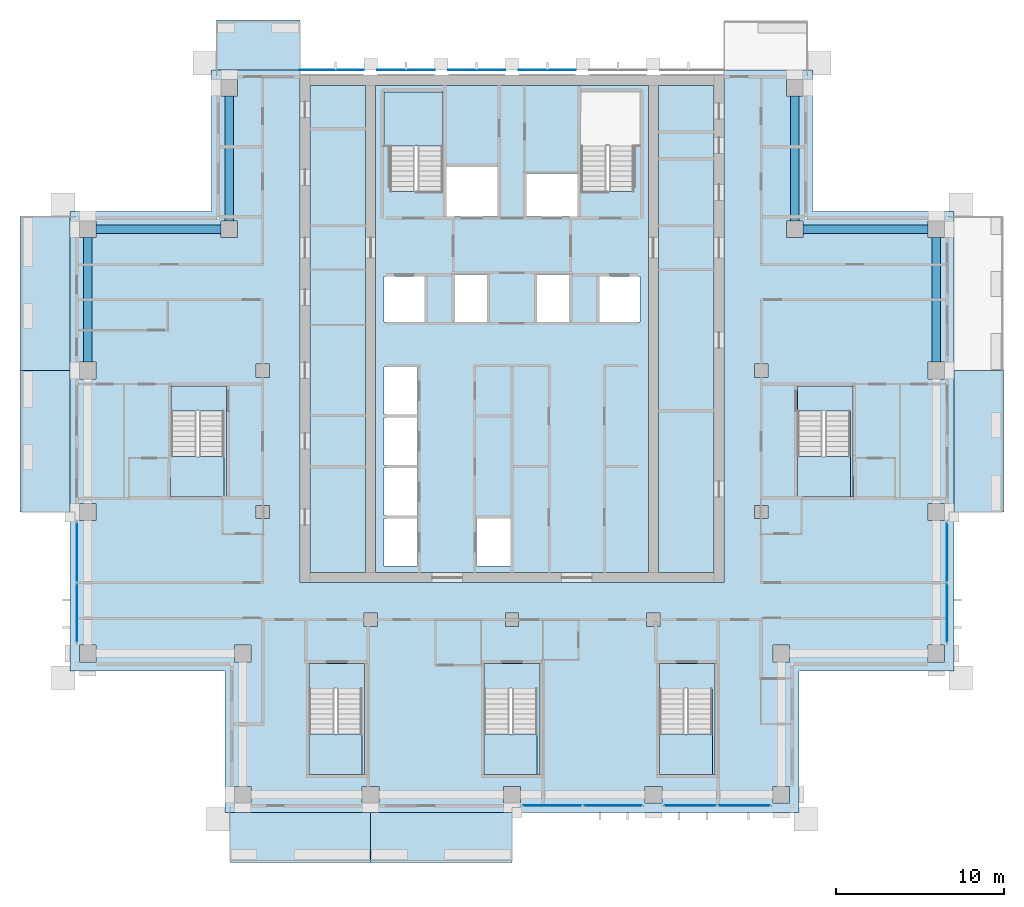
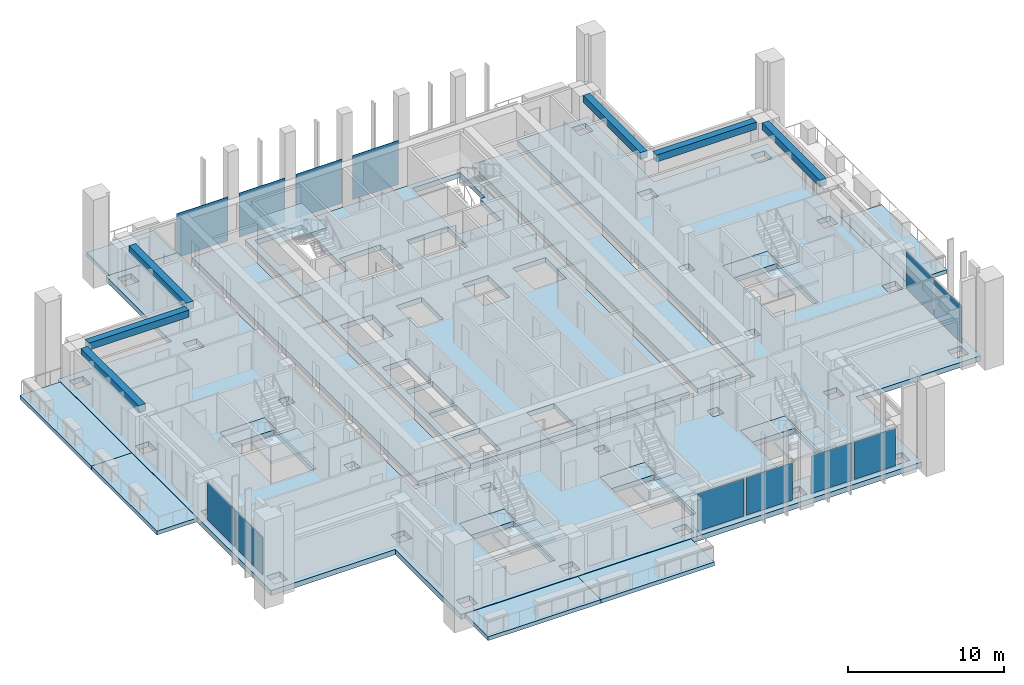
# One storey, part 5 of 17: 21 slabs, 12 plates, 6 beams, 10 elements without a shape of their own.
"""IFC4 building model written with IfcOpenShell, lengths in metres."""

from ifc_helpers import new_model, si_unit, direction, frame, origin, origin_2d, place, context, subcontext, project, spatial, polyline, rectangle, outline, extrude, material, layer, layer_set, material_profile, profile_set, type_object, element, aggregate, save


model = new_model("IFC4")

# Units and contexts
model_context = context("Model", 3, precision=1e-05, world=origin(), true_north=direction((0.0, 1.0)))
body_context = subcontext(model_context, "Body", "Model", "MODEL_VIEW")
ifc_project = project(units=[si_unit("LENGTHUNIT", "METRE"), si_unit("AREAUNIT", "SQUARE_METRE"), si_unit("VOLUMEUNIT", "CUBIC_METRE"), si_unit("PLANEANGLEUNIT", "RADIAN"), si_unit("MASSUNIT", "GRAM", prefix="KILO")], contexts=[model_context])

# Site, building, storey
site_placement = place(None, origin())
site = spatial("IfcSite", under=ifc_project, at=site_placement, CompositionType="ELEMENT")
building_placement = place(site_placement, origin())
building = spatial("IfcBuilding", under=site, at=building_placement, Name="Vermilion Ogive Tower", CompositionType="ELEMENT")
storey_placement = place(building_placement, frame((0.0, 0.0, 192.800048828125)))
storey = spatial("IfcBuildingStorey", under=building, at=storey_placement, Name="L50", CompositionType="ELEMENT", Elevation=192.800048828125)

# Beams
ifc_material_1 = material(Name="Concrete B45", Category="concrete")
ifc_material_profile = material_profile(ifc_material_1, rectangle(XDim=0.5, YDim=0.550048828125, at=origin_2d()), Name="500 x 550")
ifc_profile_set = profile_set([ifc_material_profile], Name="Concrete B45")
beam_type = type_object("IfcBeamType", Name="Edge beam 500 x 550 B45", PredefinedType="BEAM", material=ifc_profile_set)
beam_1_placement = place(storey_placement, frame((25.199951171875, 4.699951171875, 2.77490234375), z_axis=(0.0, 1.0, 0.0), x_axis=(-1.0, 0.0, 0.0)))
element("IfcBeam", 1, at=beam_1_placement, inside=storey, type_object=beam_type, Name="L50-EB-9", PredefinedType="BEAM", context=body_context, shape_type="SweptSolid", body=[
    extrude(rectangle(XDim=0.5, YDim=0.550048828125, at=origin_2d()), origin(), (0.0, 0.0, 1.0), 7.400146484375),
])
for number, where, z_axis, x_axis, name in (
    (2, (24.699951171875, 12.60009765625, 2.77490234375), (-1.0, 0.0, 0.0), (0.0, -1.0, 0.0), "L50-EB-10"),
    (3, (16.800048828125, 13.10009765625, 2.77490234375), (0.0, 1.0, 0.0), (-1.0, 0.0, 0.0), "L50-EB-11"),
    (4, (-16.800048828125, 20.5, 2.77490234375), (0.0, -1.0, 0.0), (1.0, 0.0, 0.0), "L50-EB-12"),
    (5, (-17.300048828125, 12.60009765625, 2.77490234375), (-1.0, 0.0, 0.0), (0.0, -1.0, 0.0), "L50-EB-13"),
):
    element("IfcBeam", number, at=place(storey_placement, frame(where, z_axis=z_axis, x_axis=x_axis)), inside=storey, type_object=beam_type, Name=name, PredefinedType="BEAM", context=body_context, shape_type="SweptSolid", body=[
        extrude(rectangle(XDim=0.5, YDim=0.550048828125, at=origin_2d()), origin(), (0.0, 0.0, 1.0), 7.39990234375),
    ])
beam_2_placement = place(storey_placement, frame((-25.199951171875, 12.10009765625, 2.77490234375), z_axis=(0.0, -1.0, 0.0), x_axis=(1.0, 0.0, 0.0)))
element("IfcBeam", 6, at=beam_2_placement, inside=storey, type_object=beam_type, Name="L50-EB-14", PredefinedType="BEAM", context=body_context, shape_type="SweptSolid", body=[
    extrude(rectangle(XDim=0.5, YDim=0.550048828125, at=origin_2d()), origin(), (0.0, 0.0, 1.0), 7.400146484375),
])

# Slabs
ifc_material_2 = material(Name="Concrete B40", Category="concrete")
ifc_layer_1 = layer(ifc_material_2, 0.300048828125)
ifc_layer_set_1 = layer_set([ifc_layer_1], Name="Balcony slab")
slab_type_1 = type_object("IfcSlabType", Name="Balcony slab", PredefinedType="FLOOR", material=ifc_layer_set_1)
slab_1_placement = place(storey_placement, frame((0.0, 0.0, -0.340087890625)))
element("IfcSlab", 7, at=slab_1_placement, inside=storey, type_object=slab_type_1, Name="Balcony slab S01", PredefinedType="FLOOR", context=body_context, shape_type="SweptSolid", body=[
    extrude(outline(polyline([(-16.75, -25.030029296875), (-8.39990234375, -25.030029296875), (-8.39990234375, -22.050048828125), (-16.75, -22.050048828125), (-16.75, -25.030029296875)])), origin(), (0.0, 0.0, 1.0), 0.300048828125),
])
slab_2_placement = place(storey_placement, frame((0.0, 0.0, -0.340087890625)))
element("IfcSlab", 8, at=slab_2_placement, inside=storey, type_object=slab_type_1, Name="Balcony slab S02", PredefinedType="FLOOR", context=body_context, shape_type="SweptSolid", body=[
    extrude(outline(polyline([(-8.39990234375, -25.030029296875), (0.0, -25.030029296875), (0.0, -22.050048828125), (-8.39990234375, -22.050048828125), (-8.39990234375, -25.030029296875)])), origin(), (0.0, 0.0, 1.0), 0.300048828125),
])
slab_3_placement = place(storey_placement, frame((0.0, 0.0, -0.340087890625)))
element("IfcSlab", 9, at=slab_3_placement, inside=storey, type_object=slab_type_1, Name="Balcony slab E02", PredefinedType="FLOOR", context=body_context, shape_type="SweptSolid", body=[
    extrude(outline(polyline([(29.22998046875, -4.199951171875), (29.22998046875, 4.199951171875), (26.25, 4.199951171875), (26.25, -4.199951171875), (29.22998046875, -4.199951171875)])), origin(), (0.0, 0.0, 1.0), 0.300048828125),
])
slab_4_placement = place(storey_placement, frame((0.0, 0.0, -0.340087890625)))
element("IfcSlab", 10, at=slab_4_placement, inside=storey, type_object=slab_type_1, Name="Balcony slab N201", PredefinedType="FLOOR", context=body_context, shape_type="SweptSolid", body=[
    extrude(outline(polyline([(-12.60009765625, 25.030029296875), (-17.550048828125, 25.030029296875), (-17.550048828125, 22.050048828125), (-12.60009765625, 22.050048828125), (-12.60009765625, 25.030029296875)])), origin(), (0.0, 0.0, 1.0), 0.300048828125),
])
slab_5_placement = place(storey_placement, frame((0.0, 0.0, -0.340087890625)))
element("IfcSlab", 11, at=slab_5_placement, inside=storey, type_object=slab_type_1, Name="Balcony slab W01", PredefinedType="FLOOR", context=body_context, shape_type="SweptSolid", body=[
    extrude(outline(polyline([(-29.22998046875, 13.35009765625), (-29.22998046875, 4.199951171875), (-26.25, 4.199951171875), (-26.25, 13.35009765625), (-29.22998046875, 13.35009765625)])), origin(), (0.0, 0.0, 1.0), 0.300048828125),
])
slab_6_placement = place(storey_placement, frame((0.0, 0.0, -0.340087890625)))
element("IfcSlab", 12, at=slab_6_placement, inside=storey, type_object=slab_type_1, Name="Balcony slab W02", PredefinedType="FLOOR", context=body_context, shape_type="SweptSolid", body=[
    extrude(outline(polyline([(-29.22998046875, 4.199951171875), (-29.22998046875, -4.199951171875), (-26.25, -4.199951171875), (-26.25, 4.199951171875), (-29.22998046875, 4.199951171875)])), origin(), (0.0, 0.0, 1.0), 0.300048828125),
])

# Curtain wall, plates
ifc_material_3 = material(Name="Low-iron laminated glazing in aluminium frame", Category="aluminium")
curtain_wall_type = type_object("IfcCurtainWallType", Name="Curtain wall CW7", PredefinedType="NOTDEFINED", material=ifc_material_3)
curtain_wall_1_placement = place(storey_placement, origin())
curtain_wall_1 = element("IfcCurtainWall", 13, at=curtain_wall_1_placement, inside=storey, type_object=curtain_wall_type, Name="Glazed skin S3", PredefinedType="NOTDEFINED")
ifc_material_4 = material(Name="Low-iron laminated glazing in aluminium frame", Category="aluminium")
ifc_layer_2 = layer(ifc_material_4, 0.031982421875)
ifc_layer_set_2 = layer_set([ifc_layer_2], Name="CW7 glazing panel 32")
plate_type_1 = type_object("IfcPlateType", Name="CW7 glazing panel 32", PredefinedType="CURTAIN_PANEL", material=ifc_layer_set_2)
plate_1_placement = place(storey_placement, frame((2.39501953125, -21.64990234375, 0.06005859375), z_axis=(0.0, 0.0, 1.0), x_axis=(1.0, 0.0, 0.0)))
plate_1 = element("IfcPlate", 14, at=plate_1_placement, type_object=plate_type_1, Name="CW7-S3 panel 1.1", PredefinedType="CURTAIN_PANEL", context=body_context, shape_type="SweptSolid", body=[
    extrude(rectangle(XDim=3.429931640625, YDim=0.031982421875, at=origin_2d()), origin(), (0.0, 0.0, 1.0), 2.929931640625),
])
plate_2_placement = place(storey_placement, frame((6.0048828125, -21.64990234375, 0.06005859375), z_axis=(0.0, 0.0, 1.0), x_axis=(1.0, 0.0, 0.0)))
plate_2 = element("IfcPlate", 15, at=plate_2_placement, type_object=plate_type_1, Name="CW7-S3 panel 2.1", PredefinedType="CURTAIN_PANEL", context=body_context, shape_type="SweptSolid", body=[
    extrude(rectangle(XDim=3.429931640625, YDim=0.031982421875, at=origin_2d()), origin(), (0.0, 0.0, 1.0), 2.929931640625),
])
aggregate(curtain_wall_1, [plate_1, plate_2])

curtain_wall_2_placement = place(storey_placement, origin())
curtain_wall_2 = element("IfcCurtainWall", 16, at=curtain_wall_2_placement, inside=storey, type_object=curtain_wall_type, Name="Glazed skin S4", PredefinedType="NOTDEFINED")
plate_3_placement = place(storey_placement, frame((10.594970703125, -21.64990234375, 0.06005859375), z_axis=(0.0, 0.0, 1.0), x_axis=(1.0, 0.0, 0.0)))
plate_3 = element("IfcPlate", 17, at=plate_3_placement, type_object=plate_type_1, Name="CW7-S4 panel 1.1", PredefinedType="CURTAIN_PANEL", context=body_context, shape_type="SweptSolid", body=[
    extrude(rectangle(XDim=3.030029296875, YDim=0.031982421875, at=origin_2d()), origin(), (0.0, 0.0, 1.0), 2.929931640625),
])
plate_4_placement = place(storey_placement, frame((13.804931640625, -21.64990234375, 0.06005859375), z_axis=(0.0, 0.0, 1.0), x_axis=(1.0, 0.0, 0.0)))
plate_4 = element("IfcPlate", 18, at=plate_4_placement, type_object=plate_type_1, Name="CW7-S4 panel 2.1", PredefinedType="CURTAIN_PANEL", context=body_context, shape_type="SweptSolid", body=[
    extrude(rectangle(XDim=3.030029296875, YDim=0.031982421875, at=origin_2d()), origin(), (0.0, 0.0, 1.0), 2.929931640625),
])
aggregate(curtain_wall_2, [plate_3, plate_4])

curtain_wall_3_placement = place(storey_placement, origin())
curtain_wall_3 = element("IfcCurtainWall", 19, at=curtain_wall_3_placement, inside=storey, type_object=curtain_wall_type, Name="Glazed skin E1", PredefinedType="NOTDEFINED")
plate_5_placement = place(storey_placement, frame((25.85009765625, -10.205078125, 0.06005859375), z_axis=(0.0, 0.0, 1.0), x_axis=(0.0, 1.0, 0.0)))
plate_5 = element("IfcPlate", 20, at=plate_5_placement, type_object=plate_type_1, Name="CW7-E1 panel 1.1", PredefinedType="CURTAIN_PANEL", context=body_context, shape_type="SweptSolid", body=[
    extrude(rectangle(XDim=3.429931640625, YDim=0.031982421875, at=origin_2d()), origin(), (0.0, 0.0, 1.0), 2.929931640625),
])
plate_6_placement = place(storey_placement, frame((25.85009765625, -6.594970703125, 0.06005859375), z_axis=(0.0, 0.0, 1.0), x_axis=(0.0, 1.0, 0.0)))
plate_6 = element("IfcPlate", 21, at=plate_6_placement, type_object=plate_type_1, Name="CW7-E1 panel 2.1", PredefinedType="CURTAIN_PANEL", context=body_context, shape_type="SweptSolid", body=[
    extrude(rectangle(XDim=3.429931640625, YDim=0.031982421875, at=origin_2d()), origin(), (0.0, 0.0, 1.0), 2.929931640625),
])
aggregate(curtain_wall_3, [plate_5, plate_6])

curtain_wall_4_placement = place(storey_placement, origin())
curtain_wall_4 = element("IfcCurtainWall", 22, at=curtain_wall_4_placement, inside=storey, type_object=curtain_wall_type, Name="Glazed skin W3", PredefinedType="NOTDEFINED")
plate_7_placement = place(storey_placement, frame((-25.85009765625, -6.594970703125, 0.06005859375), z_axis=(0.0, 0.0, 1.0), x_axis=(0.0, -1.0, 0.0)))
plate_7 = element("IfcPlate", 23, at=plate_7_placement, type_object=plate_type_1, Name="CW7-W3 panel 1.1", PredefinedType="CURTAIN_PANEL", context=body_context, shape_type="SweptSolid", body=[
    extrude(rectangle(XDim=3.429931640625, YDim=0.031982421875, at=origin_2d()), origin(), (0.0, 0.0, 1.0), 2.929931640625),
])
plate_8_placement = place(storey_placement, frame((-25.85009765625, -10.205078125, 0.06005859375), z_axis=(0.0, 0.0, 1.0), x_axis=(0.0, -1.0, 0.0)))
plate_8 = element("IfcPlate", 24, at=plate_8_placement, type_object=plate_type_1, Name="CW7-W3 panel 2.1", PredefinedType="CURTAIN_PANEL", context=body_context, shape_type="SweptSolid", body=[
    extrude(rectangle(XDim=3.429931640625, YDim=0.031982421875, at=origin_2d()), origin(), (0.0, 0.0, 1.0), 2.929931640625),
])
aggregate(curtain_wall_4, [plate_7, plate_8])

# Slabs
ifc_material_5 = material(Name="Concrete B40", Category="concrete")
ifc_layer_3 = layer(ifc_material_5, 0.39990234375)
ifc_layer_set_3 = layer_set([ifc_layer_3], Name="Core floor slab 400 B40")
slab_type_2 = type_object("IfcSlabType", Name="Core floor slab 400 B40", PredefinedType="FLOOR", material=ifc_layer_set_3)
slab_7_placement = place(storey_placement, frame((0.0, 0.0, -0.400146484375)))
element("IfcSlab", 25, at=slab_7_placement, inside=storey, type_object=slab_type_2, Name="L50-CK-FS1", PredefinedType="FLOOR", context=body_context, shape_type="SweptSolid", body=[
    extrude(outline(polyline([(-11.99609375, 21.14599609375), (-8.7041015625, 21.14599609375), (-8.7041015625, -7.7958984375), (-11.99609375, -7.7958984375), (-11.99609375, 21.14599609375)])), origin(), (0.0, 0.0, 1.0), 0.400146484375),
])
slab_8_placement = place(storey_placement, frame((0.0, 0.0, -0.400146484375)))
element("IfcSlab", 26, at=slab_8_placement, inside=storey, type_object=slab_type_2, Name="L50-CK-FS2", PredefinedType="FLOOR", context=body_context, shape_type="SweptSolid", body=[
    extrude(outline(polyline([(-8.095947265625, -7.7958984375), (8.095947265625, -7.7958984375), (8.095947265625, 21.14599609375), (-8.095947265625, 21.14599609375), (-8.095947265625, -7.7958984375)]), holes=[polyline([(-7.60009765625, -7.39990234375), (-7.60009765625, -4.60009765625), (-5.60009765625, -4.60009765625), (-5.60009765625, -7.39990234375), (-7.60009765625, -7.39990234375)]), polyline([(-7.60009765625, -4.39990234375), (-7.60009765625, -1.60009765625), (-5.60009765625, -1.60009765625), (-5.60009765625, -4.39990234375), (-7.60009765625, -4.39990234375)]), polyline([(-7.60009765625, -1.39990234375), (-7.60009765625, 1.39990234375), (-5.60009765625, 1.39990234375), (-5.60009765625, -1.39990234375), (-7.60009765625, -1.39990234375)]), polyline([(-7.60009765625, 1.60009765625), (-7.60009765625, 4.39990234375), (-5.60009765625, 4.39990234375), (-5.60009765625, 1.60009765625), (-7.60009765625, 1.60009765625)]), polyline([(-7.60009765625, 7.10009765625), (-7.60009765625, 9.800048828125), (-5.199951171875, 9.800048828125), (-5.199951171875, 7.10009765625), (-7.60009765625, 7.10009765625)]), polyline([(-3.39990234375, 9.89990234375), (-1.5, 9.89990234375), (-1.5, 7.10009765625), (-3.39990234375, 7.10009765625), (-3.39990234375, 9.89990234375)]), polyline([(-7.60009765625, 17.550048828125), (-7.60009765625, 20.75), (-4.10009765625, 20.75), (-4.10009765625, 14.85205078125), (-5.60009765625, 14.85205078125), (-5.60009765625, 14.85009765625), (-5.75, 14.85009765625), (-5.75, 14.85205078125), (-7.25, 14.85205078125), (-7.25, 17.550048828125), (-7.60009765625, 17.550048828125)]), polyline([(-2.10009765625, -7.39990234375), (-2.10009765625, -4.60009765625), (-0.10009765625, -4.60009765625), (-0.10009765625, -7.39990234375), (-2.10009765625, -7.39990234375)]), polyline([(5.199951171875, 7.10009765625), (5.199951171875, 9.800048828125), (7.60009765625, 9.800048828125), (7.60009765625, 7.10009765625), (5.199951171875, 7.10009765625)]), polyline([(1.5, 7.10009765625), (1.5, 9.89990234375), (3.39990234375, 9.89990234375), (3.39990234375, 7.10009765625), (1.5, 7.10009765625)]), polyline([(0.85009765625, 13.35009765625), (0.85009765625, 15.89990234375), (3.89990234375, 15.89990234375), (3.89990234375, 13.35009765625), (0.85009765625, 13.35009765625)]), polyline([(-3.89990234375, 16.300048828125), (-0.85009765625, 16.300048828125), (-0.85009765625, 13.35009765625), (-3.89990234375, 13.35009765625), (-3.89990234375, 16.300048828125)]), polyline([(5.75, 14.85009765625), (5.60009765625, 14.85009765625), (5.60009765625, 14.85205078125), (4.10009765625, 14.85205078125), (4.10009765625, 17.550048828125), (4.074951171875, 17.550048828125), (4.074951171875, 20.75), (7.60009765625, 20.75), (7.60009765625, 17.550048828125), (7.25, 17.550048828125), (7.25, 14.85205078125), (5.75, 14.85205078125), (5.75, 14.85009765625)])]), origin(), (0.0, 0.0, 1.0), 0.400146484375),
])
slab_9_placement = place(storey_placement, frame((0.0, 0.0, -0.400146484375)))
element("IfcSlab", 27, at=slab_9_placement, inside=storey, type_object=slab_type_2, Name="L50-CK-FS3", PredefinedType="FLOOR", context=body_context, shape_type="SweptSolid", body=[
    extrude(outline(polyline([(11.99609375, 21.14599609375), (11.99609375, -7.7958984375), (8.7041015625, -7.7958984375), (8.7041015625, 21.14599609375), (11.99609375, 21.14599609375)])), origin(), (0.0, 0.0, 1.0), 0.400146484375),
])
slab_10_placement = place(storey_placement, frame((0.0, 0.0, -0.400146484375)))
element("IfcSlab", 28, at=slab_10_placement, inside=storey, type_object=slab_type_2, Name="L50-SF-ST3-1", PredefinedType="FLOOR", context=body_context, shape_type="SweptSolid", body=[
    extrude(outline(polyline([(-12.050048828125, -13.199951171875), (-12.050048828125, -14.701904296875), (-10.550048828125, -14.701904296875), (-10.550048828125, -14.699951171875), (-10.39990234375, -14.699951171875), (-10.39990234375, -14.701904296875), (-8.89990234375, -14.701904296875), (-8.89990234375, -19.800048828125), (-8.75, -19.800048828125), (-8.75, -13.199951171875), (-12.050048828125, -13.199951171875)])), origin(), (0.0, 0.0, 1.0), 0.400146484375),
])
slab_11_placement = place(storey_placement, frame((0.0, 0.0, -0.400146484375)))
element("IfcSlab", 29, at=slab_11_placement, inside=storey, type_object=slab_type_2, Name="L50-SF-ST4-1", PredefinedType="FLOOR", context=body_context, shape_type="SweptSolid", body=[
    extrude(outline(polyline([(-1.64990234375, -13.199951171875), (-1.64990234375, -14.701904296875), (-0.14990234375, -14.701904296875), (-0.14990234375, -14.699951171875), (0.0, -14.699951171875), (0.0, -14.701904296875), (1.5, -14.701904296875), (1.5, -19.800048828125), (1.64990234375, -19.800048828125), (1.64990234375, -13.199951171875), (-1.64990234375, -13.199951171875)])), origin(), (0.0, 0.0, 1.0), 0.400146484375),
])
slab_12_placement = place(storey_placement, frame((0.0, 0.0, -0.400146484375)))
element("IfcSlab", 30, at=slab_12_placement, inside=storey, type_object=slab_type_2, Name="L50-SF-ST5-1", PredefinedType="FLOOR", context=body_context, shape_type="SweptSolid", body=[
    extrude(outline(polyline([(8.75, -13.199951171875), (8.75, -14.701904296875), (10.25, -14.701904296875), (10.25, -14.699951171875), (10.39990234375, -14.699951171875), (10.39990234375, -14.701904296875), (11.89990234375, -14.701904296875), (11.89990234375, -19.800048828125), (12.050048828125, -19.800048828125), (12.050048828125, -13.199951171875), (8.75, -13.199951171875)])), origin(), (0.0, 0.0, 1.0), 0.400146484375),
])
slab_13_placement = place(storey_placement, frame((0.0, 0.0, -0.400146484375)))
element("IfcSlab", 31, at=slab_13_placement, inside=storey, type_object=slab_type_2, Name="L50-SF-ST8-1", PredefinedType="FLOOR", context=body_context, shape_type="SweptSolid", body=[
    extrude(outline(polyline([(16.949951171875, 3.300048828125), (16.949951171875, 1.798095703125), (18.449951171875, 1.798095703125), (18.449951171875, 1.800048828125), (18.60009765625, 1.800048828125), (18.60009765625, 1.798095703125), (20.10009765625, 1.798095703125), (20.10009765625, -3.300048828125), (20.25, -3.300048828125), (20.25, 3.300048828125), (16.949951171875, 3.300048828125)])), origin(), (0.0, 0.0, 1.0), 0.400146484375),
])
slab_14_placement = place(storey_placement, frame((0.0, 0.0, -0.400146484375)))
element("IfcSlab", 32, at=slab_14_placement, inside=storey, type_object=slab_type_2, Name="L50-SF-ST9-1", PredefinedType="FLOOR", context=body_context, shape_type="SweptSolid", body=[
    extrude(outline(polyline([(-20.25, 3.300048828125), (-20.25, 1.798095703125), (-18.75, 1.798095703125), (-18.75, 1.800048828125), (-18.60009765625, 1.800048828125), (-18.60009765625, 1.798095703125), (-17.10009765625, 1.798095703125), (-17.10009765625, -3.300048828125), (-16.949951171875, -3.300048828125), (-16.949951171875, 3.300048828125), (-20.25, 3.300048828125)])), origin(), (0.0, 0.0, 1.0), 0.400146484375),
])

# Plates
ifc_material_6 = material(Name="Low-iron laminated glazing in aluminium frame", Category="aluminium")
ifc_layer_4 = layer(ifc_material_6, 0.031982421875)
ifc_layer_set_4 = layer_set([ifc_layer_4], Name="Glazed rainscreen sheet 32")
plate_type_2 = type_object("IfcPlateType", Name="Glazed rainscreen sheet 32", PredefinedType="SHEET", material=ifc_layer_set_4)
plate_9_placement = place(storey_placement, frame((-10.7099609375, 22.06591796875, -0.39990234375), z_axis=(0.0, 0.0, 1.0), x_axis=(1.0, 0.0, 0.0)))
element("IfcPlate", 33, at=plate_9_placement, inside=storey, type_object=plate_type_2, Name="Glazed rainscreen sheet N1", PredefinedType="SHEET", context=body_context, shape_type="SweptSolid", body=[
    extrude(rectangle(XDim=3.820068359375, YDim=0.031982421875, at=origin_2d()), origin(), (0.0, 0.0, 1.0), 3.449951171875),
])
for number, where, z_axis, x_axis, name in (
    (34, (-6.300048828125, 22.06591796875, -0.39990234375), (0.0, 0.0, 1.0), (1.0, 0.0, 0.0), "Glazed rainscreen sheet N2"),
    (35, (-2.10009765625, 22.06591796875, -0.39990234375), (0.0, 0.0, 1.0), (1.0, 0.0, 0.0), "Glazed rainscreen sheet N3"),
    (36, (2.10009765625, 22.06591796875, -0.39990234375), (0.0, 0.0, 1.0), (1.0, 0.0, 0.0), "Glazed rainscreen sheet N4"),
):
    element("IfcPlate", number, at=place(storey_placement, frame(where, z_axis=z_axis, x_axis=x_axis)), inside=storey, type_object=plate_type_2, Name=name, PredefinedType="SHEET", context=body_context, shape_type="SweptSolid", body=[
        extrude(rectangle(XDim=3.39990234375, YDim=0.031982421875, at=origin_2d()), origin(), (0.0, 0.0, 1.0), 3.449951171875),
    ])

# Slab
ifc_material_7 = material(Name="Concrete B45", Category="concrete")
ifc_layer_5 = layer(ifc_material_7, 0.39990234375)
ifc_layer_set_5 = layer_set([ifc_layer_5], Name="Post-tensioned flat plate 400 B45")
slab_type_3 = type_object("IfcSlabType", Name="Post-tensioned flat plate 400 B45", PredefinedType="FLOOR", material=ifc_layer_set_5)
slab_15_placement = place(storey_placement, frame((0.0, 0.0, -0.400146484375)))
element("IfcSlab", 37, at=slab_15_placement, inside=storey, type_object=slab_type_3, Name="L50-SL-1", PredefinedType="FLOOR", context=body_context, shape_type="SweptSolid", body=[
    extrude(outline(polyline([(-17.050048828125, -13.64990234375), (-26.25, -13.64990234375), (-26.25, 13.64990234375), (-17.85009765625, 13.64990234375), (-17.85009765625, 22.050048828125), (-12.60009765625, 22.050048828125), (-12.60009765625, -8.39990234375), (12.60009765625, -8.39990234375), (12.60009765625, 22.050048828125), (17.85009765625, 22.050048828125), (17.85009765625, 13.64990234375), (26.25, 13.64990234375), (26.25, -13.64990234375), (17.050048828125, -13.64990234375), (17.050048828125, -22.050048828125), (-17.050048828125, -22.050048828125), (-17.050048828125, -13.64990234375)]), holes=[polyline([(25.699951171875, -4.699951171875), (25.699951171875, -3.699951171875), (24.699951171875, -3.699951171875), (24.699951171875, -4.699951171875), (25.699951171875, -4.699951171875)]), polyline([(25.699951171875, -13.10009765625), (25.699951171875, -12.10009765625), (24.699951171875, -12.10009765625), (24.699951171875, -13.10009765625), (25.699951171875, -13.10009765625)]), polyline([(24.699951171875, 12.10009765625), (25.699951171875, 12.10009765625), (25.699951171875, 13.10009765625), (24.699951171875, 13.10009765625), (24.699951171875, 12.10009765625)]), polyline([(24.699951171875, 3.699951171875), (25.699951171875, 3.699951171875), (25.699951171875, 4.699951171875), (24.699951171875, 4.699951171875), (24.699951171875, 3.699951171875)]), polyline([(20.25, -3.300048828125), (20.25, 3.300048828125), (16.949951171875, 3.300048828125), (16.949951171875, -3.300048828125), (20.25, -3.300048828125)]), polyline([(17.300048828125, 12.10009765625), (17.300048828125, 13.10009765625), (16.300048828125, 13.10009765625), (16.300048828125, 12.10009765625), (17.300048828125, 12.10009765625)]), polyline([(16.300048828125, 20.5), (17.300048828125, 20.5), (17.300048828125, 21.5), (16.300048828125, 21.5), (16.300048828125, 20.5)]), polyline([(16.5, -13.10009765625), (16.5, -12.10009765625), (15.5, -12.10009765625), (15.5, -13.10009765625), (16.5, -13.10009765625)]), polyline([(16.5, -21.5), (16.5, -20.5), (15.5, -20.5), (15.5, -21.5), (16.5, -21.5)]), polyline([(15.199951171875, 3.800048828125), (15.199951171875, 4.60009765625), (14.39990234375, 4.60009765625), (14.39990234375, 3.800048828125), (15.199951171875, 3.800048828125)]), polyline([(14.39990234375, -4.60009765625), (15.199951171875, -4.60009765625), (15.199951171875, -3.800048828125), (14.39990234375, -3.800048828125), (14.39990234375, -4.60009765625)]), polyline([(12.050048828125, -19.800048828125), (12.050048828125, -13.199951171875), (8.75, -13.199951171875), (8.75, -19.800048828125), (12.050048828125, -19.800048828125)]), polyline([(8.89990234375, -21.5), (8.89990234375, -20.5), (7.89990234375, -20.5), (7.89990234375, -21.5), (8.89990234375, -21.5)]), polyline([(8.0, -11.0), (8.800048828125, -11.0), (8.800048828125, -10.199951171875), (8.0, -10.199951171875), (8.0, -11.0)]), polyline([(1.64990234375, -19.800048828125), (1.64990234375, -13.199951171875), (-1.64990234375, -13.199951171875), (-1.64990234375, -19.800048828125), (1.64990234375, -19.800048828125)]), polyline([(0.5, -21.5), (0.5, -20.5), (-0.5, -20.5), (-0.5, -21.5), (0.5, -21.5)]), polyline([(0.39990234375, -11.0), (0.39990234375, -10.199951171875), (-0.39990234375, -10.199951171875), (-0.39990234375, -11.0), (0.39990234375, -11.0)]), polyline([(-7.89990234375, -21.5), (-7.89990234375, -20.5), (-8.89990234375, -20.5), (-8.89990234375, -21.5), (-7.89990234375, -21.5)]), polyline([(-8.0, -11.0), (-8.0, -10.199951171875), (-8.800048828125, -10.199951171875), (-8.800048828125, -11.0), (-8.0, -11.0)]), polyline([(-8.75, -19.800048828125), (-8.75, -13.199951171875), (-12.050048828125, -13.199951171875), (-12.050048828125, -19.800048828125), (-8.75, -19.800048828125)]), polyline([(-14.39990234375, 3.800048828125), (-14.39990234375, 4.60009765625), (-15.199951171875, 4.60009765625), (-15.199951171875, 3.800048828125), (-14.39990234375, 3.800048828125)]), polyline([(-15.199951171875, -4.60009765625), (-14.39990234375, -4.60009765625), (-14.39990234375, -3.800048828125), (-15.199951171875, -3.800048828125), (-15.199951171875, -4.60009765625)]), polyline([(-15.5, -13.10009765625), (-15.5, -12.10009765625), (-16.5, -12.10009765625), (-16.5, -13.10009765625), (-15.5, -13.10009765625)]), polyline([(-15.5, -21.5), (-15.5, -20.5), (-16.5, -20.5), (-16.5, -21.5), (-15.5, -21.5)]), polyline([(-16.300048828125, 12.10009765625), (-16.300048828125, 13.10009765625), (-17.300048828125, 13.10009765625), (-17.300048828125, 12.10009765625), (-16.300048828125, 12.10009765625)]), polyline([(-17.300048828125, 20.5), (-16.300048828125, 20.5), (-16.300048828125, 21.5), (-17.300048828125, 21.5), (-17.300048828125, 20.5)]), polyline([(-16.949951171875, -3.300048828125), (-16.949951171875, 3.300048828125), (-20.25, 3.300048828125), (-20.25, -3.300048828125), (-16.949951171875, -3.300048828125)]), polyline([(-25.699951171875, 3.699951171875), (-24.699951171875, 3.699951171875), (-24.699951171875, 4.699951171875), (-25.699951171875, 4.699951171875), (-25.699951171875, 3.699951171875)]), polyline([(-24.699951171875, 12.10009765625), (-24.699951171875, 13.10009765625), (-25.699951171875, 13.10009765625), (-25.699951171875, 12.10009765625), (-24.699951171875, 12.10009765625)]), polyline([(-24.699951171875, -4.699951171875), (-24.699951171875, -3.699951171875), (-25.699951171875, -3.699951171875), (-25.699951171875, -4.699951171875), (-24.699951171875, -4.699951171875)]), polyline([(-24.699951171875, -13.10009765625), (-24.699951171875, -12.10009765625), (-25.699951171875, -12.10009765625), (-25.699951171875, -13.10009765625), (-24.699951171875, -13.10009765625)])]), origin(), (0.0, 0.0, 1.0), 0.400146484375),
])

# Stair, slab
ifc_material_8 = material(Name="Concrete B40", Category="concrete")
stair_type = type_object("IfcStairType", Name="Exit stair 1500", PredefinedType="HALF_TURN_STAIR", material=ifc_material_8)
stair_1_placement = place(storey_placement, origin())
stair_1 = element("IfcStair", 38, at=stair_1_placement, inside=storey, type_object=stair_type, Name="L50 Exit Stair ST1", PredefinedType="HALF_TURN_STAIR")
ifc_material_9 = material(Name="Concrete B40", Category="concrete")
ifc_layer_6 = layer(ifc_material_9, 0.199951171875)
ifc_layer_set_6 = layer_set([ifc_layer_6], Name="Stair landing 200")
slab_type_4 = type_object("IfcSlabType", Name="Stair landing 200", PredefinedType="LANDING", material=ifc_layer_set_6)
slab_16_placement = place(storey_placement, frame((0.0, 0.0, 1.52490234375)))
slab_16 = element("IfcSlab", 39, at=slab_16_placement, type_object=slab_type_4, Name="ST1 landing 1", PredefinedType="LANDING", context=body_context, shape_type="SweptSolid", body=[
    extrude(outline(polyline([(-7.60009765625, 17.550048828125), (-7.25, 17.550048828125), (-7.25, 17.548095703125), (-5.75, 17.548095703125), (-5.75, 17.550048828125), (-5.60009765625, 17.550048828125), (-5.60009765625, 17.548095703125), (-4.10009765625, 17.548095703125), (-4.10009765625, 20.75), (-7.60009765625, 20.75), (-7.60009765625, 17.550048828125)])), origin(), (0.0, 0.0, 1.0), 0.199951171875),
])
aggregate(stair_1, [slab_16])

stair_2_placement = place(storey_placement, origin())
stair_2 = element("IfcStair", 40, at=stair_2_placement, inside=storey, type_object=stair_type, Name="L50 Exit Stair ST3", PredefinedType="HALF_TURN_STAIR")
slab_17_placement = place(storey_placement, frame((0.0, 0.0, 1.52490234375)))
slab_17 = element("IfcSlab", 41, at=slab_17_placement, type_object=slab_type_4, Name="ST3 landing 1", PredefinedType="LANDING", context=body_context, shape_type="SweptSolid", body=[
    extrude(outline(polyline([(-8.75, -17.39990234375), (-8.89990234375, -17.39990234375), (-8.89990234375, -17.39794921875), (-10.39990234375, -17.39794921875), (-10.39990234375, -17.39990234375), (-10.550048828125, -17.39990234375), (-10.550048828125, -17.39794921875), (-12.050048828125, -17.39794921875), (-12.050048828125, -17.402099609375), (-12.0498046875, -17.402099609375), (-12.0498046875, -19.7998046875), (-8.75, -19.7998046875), (-8.75, -17.39990234375)])), origin(), (0.0, 0.0, 1.0), 0.199951171875),
])
aggregate(stair_2, [slab_17])

stair_3_placement = place(storey_placement, origin())
stair_3 = element("IfcStair", 42, at=stair_3_placement, inside=storey, type_object=stair_type, Name="L50 Exit Stair ST4", PredefinedType="HALF_TURN_STAIR")
slab_18_placement = place(storey_placement, frame((0.0, 0.0, 1.52490234375)))
slab_18 = element("IfcSlab", 43, at=slab_18_placement, type_object=slab_type_4, Name="ST4 landing 1", PredefinedType="LANDING", context=body_context, shape_type="SweptSolid", body=[
    extrude(outline(polyline([(1.64990234375, -17.39990234375), (1.5, -17.39990234375), (1.5, -17.39794921875), (0.0, -17.39794921875), (0.0, -17.39990234375), (-0.14990234375, -17.39990234375), (-0.14990234375, -17.39794921875), (-1.64990234375, -17.39794921875), (-1.64990234375, -19.7998046875), (1.64990234375, -19.7998046875), (1.64990234375, -17.39990234375)])), origin(), (0.0, 0.0, 1.0), 0.199951171875),
])
aggregate(stair_3, [slab_18])

stair_4_placement = place(storey_placement, origin())
stair_4 = element("IfcStair", 44, at=stair_4_placement, inside=storey, type_object=stair_type, Name="L50 Exit Stair ST5", PredefinedType="HALF_TURN_STAIR")
slab_19_placement = place(storey_placement, frame((0.0, 0.0, 1.52490234375)))
slab_19 = element("IfcSlab", 45, at=slab_19_placement, type_object=slab_type_4, Name="ST5 landing 1", PredefinedType="LANDING", context=body_context, shape_type="SweptSolid", body=[
    extrude(outline(polyline([(12.0498046875, -17.39990234375), (11.89990234375, -17.39990234375), (11.89990234375, -17.39794921875), (10.39990234375, -17.39794921875), (10.39990234375, -17.39990234375), (10.25, -17.39990234375), (10.25, -17.39794921875), (8.75, -17.39794921875), (8.75, -17.39990234375), (8.75, -17.39990234375), (8.75, -19.7998046875), (12.0498046875, -19.7998046875), (12.0498046875, -17.39990234375)])), origin(), (0.0, 0.0, 1.0), 0.199951171875),
])
aggregate(stair_4, [slab_19])

stair_5_placement = place(storey_placement, origin())
stair_5 = element("IfcStair", 46, at=stair_5_placement, inside=storey, type_object=stair_type, Name="L50 Exit Stair ST8", PredefinedType="HALF_TURN_STAIR")
slab_20_placement = place(storey_placement, frame((0.0, 0.0, 1.52490234375)))
slab_20 = element("IfcSlab", 47, at=slab_20_placement, type_object=slab_type_4, Name="ST8 landing 1", PredefinedType="LANDING", context=body_context, shape_type="SweptSolid", body=[
    extrude(outline(polyline([(20.275146484375, -0.89990234375), (20.10009765625, -0.89990234375), (20.10009765625, -0.89794921875), (18.60009765625, -0.89794921875), (18.60009765625, -0.89990234375), (18.449951171875, -0.89990234375), (18.449951171875, -0.89794921875), (16.949951171875, -0.89794921875), (16.949951171875, -0.902099609375), (16.9501953125, -0.902099609375), (16.9501953125, -3.2998046875), (20.275146484375, -3.2998046875), (20.275146484375, -0.89990234375)])), origin(), (0.0, 0.0, 1.0), 0.199951171875),
])
aggregate(stair_5, [slab_20])

stair_6_placement = place(storey_placement, origin())
stair_6 = element("IfcStair", 48, at=stair_6_placement, inside=storey, type_object=stair_type, Name="L50 Exit Stair ST9", PredefinedType="HALF_TURN_STAIR")
slab_21_placement = place(storey_placement, frame((0.0, 0.0, 1.52490234375)))
slab_21 = element("IfcSlab", 49, at=slab_21_placement, type_object=slab_type_4, Name="ST9 landing 1", PredefinedType="LANDING", context=body_context, shape_type="SweptSolid", body=[
    extrude(outline(polyline([(-16.9501953125, -0.89990234375), (-17.10009765625, -0.89990234375), (-17.10009765625, -0.89794921875), (-18.60009765625, -0.89794921875), (-18.60009765625, -0.89990234375), (-18.75, -0.89990234375), (-18.75, -0.89794921875), (-20.25, -0.89794921875), (-20.25, -0.89990234375), (-20.275146484375, -0.89990234375), (-20.275146484375, -3.2998046875), (-16.9501953125, -3.2998046875), (-16.9501953125, -0.89990234375)])), origin(), (0.0, 0.0, 1.0), 0.199951171875),
])
aggregate(stair_6, [slab_21])

save(model, "model.ifc")
